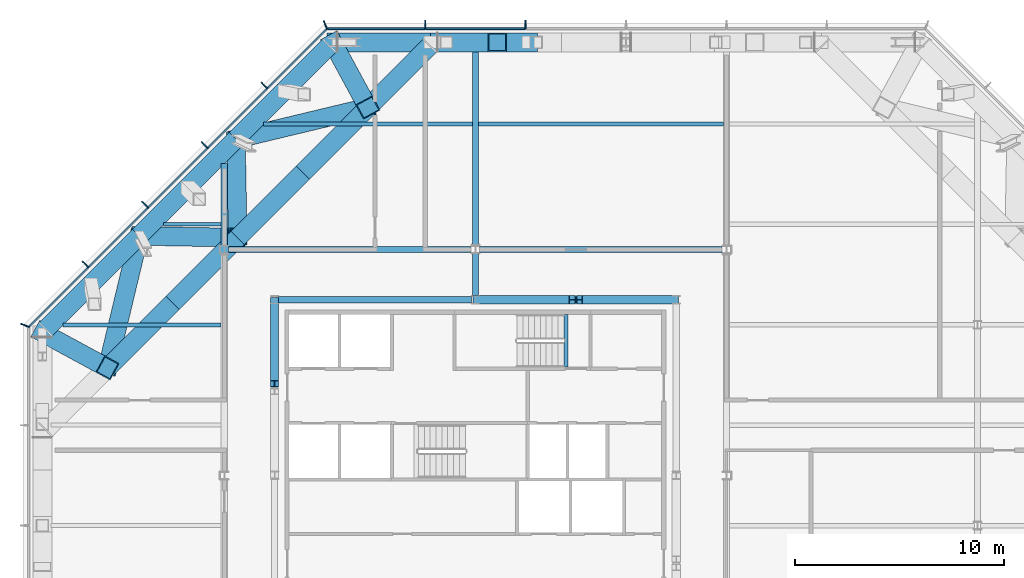
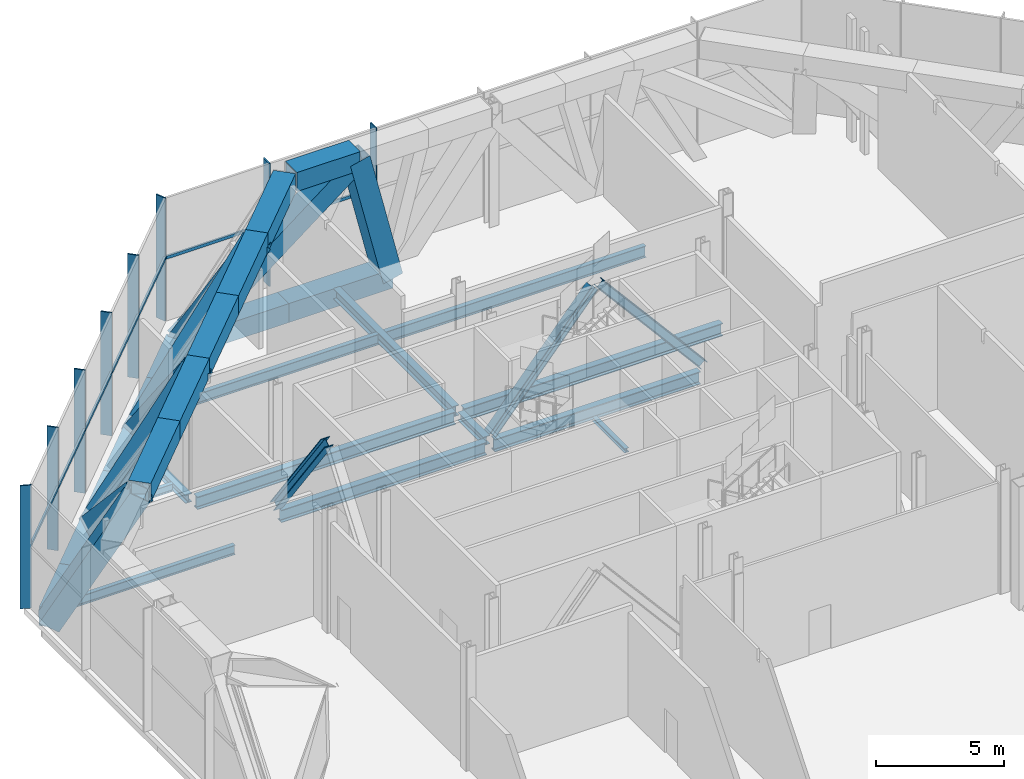
# One storey, part 7 of 18: 34 beams, 18 members, 3 elements without a shape of their own.
"""IFC4 building model written with IfcOpenShell, lengths in metres."""

from ifc_helpers import new_model, si_unit, direction, frame, origin, origin_2d, place, context, subcontext, project, spatial, rectangle, hollow_rectangle, i_section, extrude, material, material_profile, profile_set, type_object, element, aggregate, save


model = new_model("IFC4")

# Units and contexts
model_context = context("Model", 3, precision=1e-05, world=origin(), true_north=direction((0.0, 1.0)))
body_context = subcontext(model_context, "Body", "Model", "MODEL_VIEW")
ifc_project = project(units=[si_unit("LENGTHUNIT", "METRE"), si_unit("AREAUNIT", "SQUARE_METRE"), si_unit("VOLUMEUNIT", "CUBIC_METRE"), si_unit("PLANEANGLEUNIT", "RADIAN"), si_unit("MASSUNIT", "GRAM", prefix="KILO")], contexts=[model_context])

# Site, building, storey
site_placement = place(None, origin())
site = spatial("IfcSite", under=ifc_project, at=site_placement, CompositionType="ELEMENT")
building_placement = place(site_placement, origin())
building = spatial("IfcBuilding", under=site, at=building_placement, Name="Cairn Pilgrim Tower", CompositionType="ELEMENT")
storey_placement = place(building_placement, frame((0.0, 0.0, 204.60009765625)))
storey = spatial("IfcBuildingStorey", under=building, at=storey_placement, Name="L52", CompositionType="ELEMENT", Elevation=204.60009765625)

# Beams
ifc_material_1 = material(Name="Structural steel S460M", Category="steel")
ifc_material_profile_1 = material_profile(ifc_material_1, hollow_rectangle(XDim=0.89990234375, YDim=0.89990234375, WallThickness=0.050048828125, at=origin_2d()), Name="BOX 900x900x50")
ifc_profile_set_1 = profile_set([ifc_material_profile_1], Name="Structural steel S460M")
beam_type_1 = type_object("IfcBeamType", Name="BOX 900x900x50 CHORD", PredefinedType="USERDEFINED", material=ifc_profile_set_1)
beam_1_placement = place(storey_placement, frame((9.724365234375, 23.10009765625, -0.7001953125), z_axis=(-1.0, 0.0, 0.0), x_axis=(0.0, -1.0, 0.0)))
element("IfcBeam", 1, at=beam_1_placement, inside=storey, type_object=beam_type_1, Name="BT52-N-BC5", ObjectType="CHORD", PredefinedType="USERDEFINED", context=body_context, shape_type="SweptSolid", body=[
    extrude(hollow_rectangle(XDim=0.89990234375, YDim=0.89990234375, WallThickness=0.050048828125, at=origin_2d()), origin(), (0.0, 0.0, 1.0), 4.67578125),
])
beam_2_placement = place(storey_placement, frame((5.048583984375, 23.10009765625, -0.7001953125), z_axis=(-1.0, 0.0, 0.0), x_axis=(0.0, -1.0, 0.0)))
element("IfcBeam", 2, at=beam_2_placement, inside=storey, type_object=beam_type_1, Name="BT52-N-BC6", ObjectType="CHORD", PredefinedType="USERDEFINED", context=body_context, shape_type="SweptSolid", body=[
    extrude(hollow_rectangle(XDim=0.89990234375, YDim=0.89990234375, WallThickness=0.050048828125, at=origin_2d()), origin(), (0.0, 0.0, 1.0), 4.439453125),
])
beam_3_placement = place(storey_placement, frame((8.24853515625, 23.10009765625, 5.39990234375), z_axis=(-1.0, 0.0, 0.0), x_axis=(0.0, -1.0, 0.0)))
element("IfcBeam", 3, at=beam_3_placement, inside=storey, type_object=beam_type_1, Name="BT52-N-TC6", ObjectType="CHORD", PredefinedType="USERDEFINED", context=body_context, shape_type="SweptSolid", body=[
    extrude(hollow_rectangle(XDim=0.89990234375, YDim=0.89990234375, WallThickness=0.050048828125, at=origin_2d()), origin(), (0.0, 0.0, 1.0), 2.83935546875),
])
beam_4_placement = place(storey_placement, frame((0.20556640625, 22.932861328125, -0.7001953125), z_axis=(-0.707066537211, -0.707147022872, 0.0), x_axis=(0.707147022872, -0.707066537211, 0.0)))
element("IfcBeam", 4, at=beam_4_placement, inside=storey, type_object=beam_type_1, Name="BT52-NW-BC1", ObjectType="CHORD", PredefinedType="USERDEFINED", context=body_context, shape_type="SweptSolid", body=[
    extrude(hollow_rectangle(XDim=0.89990234375, YDim=0.89990234375, WallThickness=0.050048828125, at=origin_2d()), origin(), (0.0, 0.0, 1.0), 3.033447265625),
])
beam_5_placement = place(storey_placement, frame((5.005615234375, 22.932861328125, 5.39990234375), z_axis=(-0.707077470453, -0.707136090705, 0.0), x_axis=(0.707136090705, -0.707077470453, 0.0)))
element("IfcBeam", 5, at=beam_5_placement, inside=storey, type_object=beam_type_1, Name="BT52-NW-TC1", ObjectType="CHORD", PredefinedType="USERDEFINED", context=body_context, shape_type="SweptSolid", body=[
    extrude(hollow_rectangle(XDim=0.89990234375, YDim=0.89990234375, WallThickness=0.050048828125, at=origin_2d()), origin(), (0.0, 0.0, 1.0), 4.164794921875),
])
beam_6_placement = place(storey_placement, frame((-1.939208984375, 20.787841796875, -0.7001953125), z_axis=(-0.707106781187, -0.707106781187, 0.0), x_axis=(0.707106781187, -0.707106781187, 0.0)))
element("IfcBeam", 6, at=beam_6_placement, inside=storey, type_object=beam_type_1, Name="BT52-NW-BC2", ObjectType="CHORD", PredefinedType="USERDEFINED", context=body_context, shape_type="SweptSolid", body=[
    extrude(hollow_rectangle(XDim=0.89990234375, YDim=0.89990234375, WallThickness=0.050048828125, at=origin_2d()), origin(), (0.0, 0.0, 1.0), 3.27001953125),
])
beam_7_placement = place(storey_placement, frame((2.060791015625, 19.98779296875, 5.39990234375), z_axis=(-0.707134515759, -0.707079045527, 0.0), x_axis=(0.707079045527, -0.707134515759, 0.0)))
element("IfcBeam", 7, at=beam_7_placement, inside=storey, type_object=beam_type_1, Name="BT52-NW-TC2", ObjectType="CHORD", PredefinedType="USERDEFINED", context=body_context, shape_type="SweptSolid", body=[
    extrude(hollow_rectangle(XDim=0.89990234375, YDim=0.89990234375, WallThickness=0.050048828125, at=origin_2d()), origin(), (0.0, 0.0, 1.0), 4.4013671875),
])
beam_8_placement = place(storey_placement, frame((-4.25146484375, 18.4755859375, -0.7001953125), z_axis=(-0.707144112273, -0.707069448129, 0.0), x_axis=(0.707069448129, -0.707144112273, 0.0)))
element("IfcBeam", 8, at=beam_8_placement, inside=storey, type_object=beam_type_1, Name="BT52-NW-BC3", ObjectType="CHORD", PredefinedType="USERDEFINED", context=body_context, shape_type="SweptSolid", body=[
    extrude(hollow_rectangle(XDim=0.89990234375, YDim=0.89990234375, WallThickness=0.050048828125, at=origin_2d()), origin(), (0.0, 0.0, 1.0), 3.269775390625),
])
beam_9_placement = place(storey_placement, frame((-1.051513671875, 16.875732421875, 5.39990234375), z_axis=(-0.707106781187, -0.707106781187, 0.0), x_axis=(0.707106781187, -0.707106781187, 0.0)))
element("IfcBeam", 9, at=beam_9_placement, inside=storey, type_object=beam_type_1, Name="BT52-NW-TC3", ObjectType="CHORD", PredefinedType="USERDEFINED", context=body_context, shape_type="SweptSolid", body=[
    extrude(hollow_rectangle(XDim=0.89990234375, YDim=0.89990234375, WallThickness=0.050048828125, at=origin_2d()), origin(), (0.0, 0.0, 1.0), 4.401123046875),
])
beam_10_placement = place(storey_placement, frame((-6.563720703125, 16.16357421875, -0.7001953125), z_axis=(-0.707106781187, -0.707106781187, 0.0), x_axis=(0.707106781187, -0.707106781187, 0.0)))
element("IfcBeam", 10, at=beam_10_placement, inside=storey, type_object=beam_type_1, Name="BT52-NW-BC4", ObjectType="CHORD", PredefinedType="USERDEFINED", context=body_context, shape_type="SweptSolid", body=[
    extrude(hollow_rectangle(XDim=0.89990234375, YDim=0.89990234375, WallThickness=0.050048828125, at=origin_2d()), origin(), (0.0, 0.0, 1.0), 3.269775390625),
])
beam_11_placement = place(storey_placement, frame((-4.16357421875, 13.763671875, 5.39990234375), z_axis=(-0.707106781187, -0.707106781187, 0.0), x_axis=(0.707106781187, -0.707106781187, 0.0)))
element("IfcBeam", 11, at=beam_11_placement, inside=storey, type_object=beam_type_1, Name="BT52-NW-TC4", ObjectType="CHORD", PredefinedType="USERDEFINED", context=body_context, shape_type="SweptSolid", body=[
    extrude(hollow_rectangle(XDim=0.89990234375, YDim=0.89990234375, WallThickness=0.050048828125, at=origin_2d()), origin(), (0.0, 0.0, 1.0), 4.401123046875),
])
beam_12_placement = place(storey_placement, frame((-8.875732421875, 13.8515625, -0.7001953125), z_axis=(-0.707106781187, -0.707106781187, 0.0), x_axis=(0.707106781187, -0.707106781187, 0.0)))
element("IfcBeam", 12, at=beam_12_placement, inside=storey, type_object=beam_type_1, Name="BT52-NW-BC5", ObjectType="CHORD", PredefinedType="USERDEFINED", context=body_context, shape_type="SweptSolid", body=[
    extrude(hollow_rectangle(XDim=0.89990234375, YDim=0.89990234375, WallThickness=0.050048828125, at=origin_2d()), origin(), (0.0, 0.0, 1.0), 3.27001953125),
])
beam_13_placement = place(storey_placement, frame((-7.275634765625, 10.651611328125, 5.39990234375), z_axis=(-0.707106781187, -0.707106781187, 0.0), x_axis=(0.707106781187, -0.707106781187, 0.0)))
element("IfcBeam", 13, at=beam_13_placement, inside=storey, type_object=beam_type_1, Name="BT52-NW-TC5", ObjectType="CHORD", PredefinedType="USERDEFINED", context=body_context, shape_type="SweptSolid", body=[
    extrude(hollow_rectangle(XDim=0.89990234375, YDim=0.89990234375, WallThickness=0.050048828125, at=origin_2d()), origin(), (0.0, 0.0, 1.0), 4.4013671875),
])
beam_14_placement = place(storey_placement, frame((-11.18798828125, 11.539306640625, -0.7001953125), z_axis=(-0.707066537211, -0.707147022872, 0.0), x_axis=(0.707147022872, -0.707066537211, 0.0)))
element("IfcBeam", 14, at=beam_14_placement, inside=storey, type_object=beam_type_1, Name="BT52-NW-BC6", ObjectType="CHORD", PredefinedType="USERDEFINED", context=body_context, shape_type="SweptSolid", body=[
    extrude(hollow_rectangle(XDim=0.89990234375, YDim=0.89990234375, WallThickness=0.050048828125, at=origin_2d()), origin(), (0.0, 0.0, 1.0), 3.033447265625),
])
ifc_material_profile_2 = material_profile(ifc_material_1, hollow_rectangle(XDim=0.89990234375, YDim=0.89990234375, WallThickness=0.050048828125, at=origin_2d()), Name="BOX 900x900x50")
ifc_profile_set_2 = profile_set([ifc_material_profile_2], Name="Structural steel S460M")
beam_type_2 = type_object("IfcBeamType", Name="BOX 900x900x50 DIAGONAL", PredefinedType="USERDEFINED", material=ifc_profile_set_2)
beam_15_placement = place(storey_placement, frame((9.724365234375, 23.10009765625, -0.7001953125), z_axis=(-0.235151316301, 0.0, 0.971958774044), x_axis=(0.0, -1.0, 0.0)))
element("IfcBeam", 15, at=beam_15_placement, inside=storey, type_object=beam_type_2, Name="BT52-N-D5", ObjectType="DIAGONAL", PredefinedType="USERDEFINED", context=body_context, shape_type="SweptSolid", body=[
    extrude(hollow_rectangle(XDim=0.89990234375, YDim=0.89990234375, WallThickness=0.050048828125, at=origin_2d()), origin(), (0.0, 0.0, 1.0), 6.276123046875),
])
beam_16_placement = place(storey_placement, frame((8.24853515625, 23.10009765625, 5.39990234375), z_axis=(-0.790589750106, 0.0, -0.612346182341), x_axis=(0.0, -1.0, 0.0)))
element("IfcBeam", 16, at=beam_16_placement, inside=storey, type_object=beam_type_2, Name="BT52-N-D6", ObjectType="DIAGONAL", PredefinedType="USERDEFINED", context=body_context, shape_type="SweptSolid", body=[
    extrude(hollow_rectangle(XDim=0.89990234375, YDim=0.89990234375, WallThickness=0.050048828125, at=origin_2d()), origin(), (0.0, 0.0, 1.0), 9.9619140625),
])
beam_17_placement = place(storey_placement, frame((0.372802734375, 23.10009765625, -0.7001953125), z_axis=(0.239324002447, -0.441264446514, 0.864875546015), x_axis=(0.879036753666, 0.476754009637, 0.0)))
element("IfcBeam", 17, at=beam_17_placement, inside=storey, type_object=beam_type_2, Name="BT52-NW-D1", ObjectType="DIAGONAL", PredefinedType="USERDEFINED", context=body_context, shape_type="SweptSolid", body=[
    extrude(hollow_rectangle(XDim=0.89990234375, YDim=0.89990234375, WallThickness=0.050048828125, at=origin_2d()), origin(), (0.0, 0.0, 1.0), 7.05322265625),
])
beam_18_placement = place(storey_placement, frame((2.060791015625, 19.98779296875, 5.39990234375), z_axis=(-0.708649616723, -0.169768931579, -0.684831534459), x_axis=(0.232974611188, -0.972482817608, 0.0)))
element("IfcBeam", 18, at=beam_18_placement, inside=storey, type_object=beam_type_2, Name="BT52-NW-D2", ObjectType="DIAGONAL", PredefinedType="USERDEFINED", context=body_context, shape_type="SweptSolid", body=[
    extrude(hollow_rectangle(XDim=0.89990234375, YDim=0.89990234375, WallThickness=0.050048828125, at=origin_2d()), origin(), (0.0, 0.0, 1.0), 8.907470703125),
])
beam_19_placement = place(storey_placement, frame((-4.25146484375, 18.4755859375, -0.7001953125), z_axis=(0.011401773013, -0.611261719859, 0.791346390279), x_axis=(0.999826080981, 0.018649605656, 0.0)))
element("IfcBeam", 19, at=beam_19_placement, inside=storey, type_object=beam_type_2, Name="BT52-NW-D3", ObjectType="DIAGONAL", PredefinedType="USERDEFINED", context=body_context, shape_type="SweptSolid", body=[
    extrude(hollow_rectangle(XDim=0.89990234375, YDim=0.89990234375, WallThickness=0.050048828125, at=origin_2d()), origin(), (0.0, 0.0, 1.0), 7.70849609375),
])
beam_20_placement = place(storey_placement, frame((-4.16357421875, 13.763671875, 5.39990234375), z_axis=(-0.611281557072, 0.011401552279, -0.791331070152), x_axis=(-0.018648639741, -0.999826098997, 0.0)))
element("IfcBeam", 20, at=beam_20_placement, inside=storey, type_object=beam_type_2, Name="BT52-NW-D4", ObjectType="DIAGONAL", PredefinedType="USERDEFINED", context=body_context, shape_type="SweptSolid", body=[
    extrude(hollow_rectangle(XDim=0.89990234375, YDim=0.89990234375, WallThickness=0.050048828125, at=origin_2d()), origin(), (0.0, 0.0, 1.0), 7.708740234375),
])
beam_21_placement = place(storey_placement, frame((-8.875732421875, 13.8515625, -0.7001953125), z_axis=(-0.169768931579, -0.708649616723, 0.684831534459), x_axis=(0.972482817608, -0.232974611188, 0.0)))
element("IfcBeam", 21, at=beam_21_placement, inside=storey, type_object=beam_type_2, Name="BT52-NW-D5", ObjectType="DIAGONAL", PredefinedType="USERDEFINED", context=body_context, shape_type="SweptSolid", body=[
    extrude(hollow_rectangle(XDim=0.89990234375, YDim=0.89990234375, WallThickness=0.050048828125, at=origin_2d()), origin(), (0.0, 0.0, 1.0), 8.907470703125),
])
beam_22_placement = place(storey_placement, frame((-10.387939453125, 7.539306640625, 5.39990234375), z_axis=(-0.44123657139, 0.239327657848, -0.864888756001), x_axis=(-0.476782909036, -0.879021079185, 0.0)))
element("IfcBeam", 22, at=beam_22_placement, inside=storey, type_object=beam_type_2, Name="BT52-NW-D6", ObjectType="DIAGONAL", PredefinedType="USERDEFINED", context=body_context, shape_type="SweptSolid", body=[
    extrude(hollow_rectangle(XDim=0.89990234375, YDim=0.89990234375, WallThickness=0.050048828125, at=origin_2d()), origin(), (0.0, 0.0, 1.0), 7.052978515625),
])

# Curtain wall, members
ifc_material_2 = material(Name="Aluminium alloy 6063-T6 bronze anodised with Bronze tinted laminated low-E glass 8+16+8.8", Category="aluminium")
curtain_wall_type = type_object("IfcCurtainWallType", Name="PLANT LOUVRE CURTAIN WALL", PredefinedType="NOTDEFINED", material=ifc_material_2)
curtain_wall_1_placement = place(storey_placement, origin())
curtain_wall_1 = element("IfcCurtainWall", 23, at=curtain_wall_1_placement, inside=storey, type_object=curtain_wall_type, Name="Plant Louvre Curtain Wall N", PredefinedType="NOTDEFINED")
ifc_material_3 = material(Name="Aluminium alloy 6063-T6 bronze anodised", Category="aluminium")
ifc_material_profile_3 = material_profile(ifc_material_3, rectangle(XDim=0.449951171875, YDim=0.06005859375, at=origin_2d()), Name="FIN MULLION 60x450 BRONZE")
ifc_profile_set_3 = profile_set([ifc_material_profile_3], Name="Aluminium alloy 6063-T6 bronze anodised")
member_type_1 = type_object("IfcMemberType", Name="FIN MULLION 60x450 BRONZE", PredefinedType="MULLION", material=ifc_profile_set_3)
member_1_placement = place(storey_placement, frame((9.60009765625, 23.945068359375, 0.0), z_axis=(0.0, 0.0, 1.0), x_axis=(0.0, 1.0, 0.0)))
member_1 = element("IfcMember", 24, at=member_1_placement, type_object=member_type_1, Name="Fin mullion N5", PredefinedType="MULLION", context=body_context, shape_type="SweptSolid", body=[
    extrude(rectangle(XDim=0.449951171875, YDim=0.06005859375, at=origin_2d()), origin(), (0.0, 0.0, 1.0), 5.849853515625),
])
member_2_placement = place(storey_placement, frame((4.800048828125, 23.945068359375, 0.0), z_axis=(0.0, 0.0, 1.0), x_axis=(0.0, 1.0, 0.0)))
member_2 = element("IfcMember", 25, at=member_2_placement, type_object=member_type_1, Name="Fin mullion N6", PredefinedType="MULLION", context=body_context, shape_type="SweptSolid", body=[
    extrude(rectangle(XDim=0.449951171875, YDim=0.06005859375, at=origin_2d()), origin(), (0.0, 0.0, 1.0), 5.849853515625),
])

curtain_wall_2_placement = place(storey_placement, origin())
curtain_wall_2 = element("IfcCurtainWall", 26, at=curtain_wall_2_placement, inside=storey, type_object=curtain_wall_type, Name="Plant Louvre Curtain Wall NW", PredefinedType="NOTDEFINED")
member_3_placement = place(storey_placement, frame((0.02880859375, 23.93017578125, 0.0), z_axis=(0.0, 0.0, 1.0), x_axis=(-0.382683432365, 0.923879532511, 0.0)))
member_3 = element("IfcMember", 27, at=member_3_placement, type_object=member_type_1, Name="Fin mullion NW1", PredefinedType="MULLION", context=body_context, shape_type="SweptSolid", body=[
    extrude(rectangle(XDim=0.449951171875, YDim=0.06005859375, at=origin_2d()), origin(), (0.0, 0.0, 1.0), 5.849853515625),
])
member_4_placement = place(storey_placement, frame((-2.885009765625, 21.037109375, 0.0), z_axis=(0.0, 0.0, 1.0), x_axis=(-0.707106781187, 0.707106781187, 0.0)))
member_4 = element("IfcMember", 28, at=member_4_placement, type_object=member_type_1, Name="Fin mullion NW2", PredefinedType="MULLION", context=body_context, shape_type="SweptSolid", body=[
    extrude(rectangle(XDim=0.449951171875, YDim=0.06005859375, at=origin_2d()), origin(), (0.0, 0.0, 1.0), 5.849853515625),
])
member_5_placement = place(storey_placement, frame((-5.73583984375, 18.1865234375, 0.0), z_axis=(0.0, 0.0, 1.0), x_axis=(-0.707106781187, 0.707106781187, 0.0)))
member_5 = element("IfcMember", 29, at=member_5_placement, type_object=member_type_1, Name="Fin mullion NW3", PredefinedType="MULLION", context=body_context, shape_type="SweptSolid", body=[
    extrude(rectangle(XDim=0.449951171875, YDim=0.06005859375, at=origin_2d()), origin(), (0.0, 0.0, 1.0), 5.849853515625),
])
member_6_placement = place(storey_placement, frame((-8.58642578125, 15.335693359375, 0.0), z_axis=(0.0, 0.0, 1.0), x_axis=(-0.707106781187, 0.707106781187, 0.0)))
member_6 = element("IfcMember", 30, at=member_6_placement, type_object=member_type_1, Name="Fin mullion NW4", PredefinedType="MULLION", context=body_context, shape_type="SweptSolid", body=[
    extrude(rectangle(XDim=0.449951171875, YDim=0.06005859375, at=origin_2d()), origin(), (0.0, 0.0, 1.0), 5.849853515625),
])
member_7_placement = place(storey_placement, frame((-11.437255859375, 12.485107421875, 0.0), z_axis=(0.0, 0.0, 1.0), x_axis=(-0.707106781187, 0.707106781187, 0.0)))
member_7 = element("IfcMember", 31, at=member_7_placement, type_object=member_type_1, Name="Fin mullion NW5", PredefinedType="MULLION", context=body_context, shape_type="SweptSolid", body=[
    extrude(rectangle(XDim=0.449951171875, YDim=0.06005859375, at=origin_2d()), origin(), (0.0, 0.0, 1.0), 5.849853515625),
])

# Curtain wall, member
curtain_wall_3_placement = place(storey_placement, origin())
curtain_wall_3 = element("IfcCurtainWall", 32, at=curtain_wall_3_placement, inside=storey, type_object=curtain_wall_type, Name="Plant Louvre Curtain Wall W", PredefinedType="NOTDEFINED")
member_8_placement = place(storey_placement, frame((-14.330078125, 9.571044921875, 0.0), z_axis=(0.0, 0.0, 1.0), x_axis=(-0.923879532511, 0.382683432365, 0.0)))
member_8 = element("IfcMember", 33, at=member_8_placement, type_object=member_type_1, Name="Fin mullion W1", PredefinedType="MULLION", context=body_context, shape_type="SweptSolid", body=[
    extrude(rectangle(XDim=0.449951171875, YDim=0.06005859375, at=origin_2d()), origin(), (0.0, 0.0, 1.0), 5.849853515625),
])
aggregate(curtain_wall_3, [member_8])

# Members
ifc_material_4 = material(Name="Structural steel S355J2", Category="steel")
ifc_material_profile_4 = material_profile(ifc_material_4, i_section(OverallWidth=0.39794921875, OverallDepth=0.386962890625, WebThickness=0.02099609375, FlangeThickness=0.033203125, FilletRadius=0.014892578125, at=origin_2d()), Name="HD 400x262")
ifc_profile_set_4 = profile_set([ifc_material_profile_4], Name="Structural steel S355J2")
member_type_2 = type_object("IfcMemberType", Name="HD 400x262 BRACE", PredefinedType="BRACE", material=ifc_profile_set_4)
for number, where, z_axis, x_axis, name in (
    (34, (16.759521484375, 10.800048828125, 0.0), (-0.647412441599, 0.0, 0.762139836554), (0.0, -1.0, 0.0), "KB-3A"),
    (35, (7.240478515625, 10.800048828125, 0.0), (0.647412441599, 0.0, 0.762139836554), (0.0, 1.0, 0.0), "KB-3B"),
):
    element("IfcMember", number, at=place(storey_placement, frame(where, z_axis=z_axis, x_axis=x_axis)), inside=storey, type_object=member_type_2, Name=name, PredefinedType="BRACE", context=body_context, shape_type="SweptSolid", body=[
        extrude(i_section(OverallWidth=0.39794921875, OverallDepth=0.386962890625, WebThickness=0.02099609375, FlangeThickness=0.033203125, FilletRadius=0.014892578125, at=origin_2d()), origin(), (0.0, 0.0, 1.0), 7.08837890625),
    ])
member_9_placement = place(storey_placement, frame((-2.39990234375, 10.759521484375, 0.0), z_axis=(0.0, -0.592300789405, 0.805716932222), x_axis=(1.0, 0.0, 0.0)))
element("IfcMember", 36, at=member_9_placement, inside=storey, type_object=member_type_2, Name="KB-4A", PredefinedType="BRACE", context=body_context, shape_type="SweptSolid", body=[
    extrude(i_section(OverallWidth=0.39794921875, OverallDepth=0.386962890625, WebThickness=0.02099609375, FlangeThickness=0.033203125, FilletRadius=0.014892578125, at=origin_2d()), origin(), (0.0, 0.0, 1.0), 6.705810546875),
])

# Beams
ifc_material_profile_5 = material_profile(ifc_material_4, i_section(OverallWidth=0.300048828125, OverallDepth=0.39990234375, WebThickness=0.013427734375, FlangeThickness=0.02392578125, FilletRadius=0.027099609375, at=origin_2d()), Name="HEB 400")
ifc_profile_set_5 = profile_set([ifc_material_profile_5], Name="Structural steel S355J2")
beam_type_3 = type_object("IfcBeamType", Name="HEB 400 GIRDER", PredefinedType="BEAM", material=ifc_profile_set_5)
beam_23_placement = place(storey_placement, frame((-4.800048828125, 13.3994140625, -0.4501953125), z_axis=(0.0, 1.0, 0.0), x_axis=(-1.0, 0.0, 0.0)))
element("IfcBeam", 37, at=beam_23_placement, inside=storey, type_object=beam_type_3, Name="PG2-4", PredefinedType="BEAM", context=body_context, shape_type="SweptSolid", body=[
    extrude(i_section(OverallWidth=0.300048828125, OverallDepth=0.39990234375, WebThickness=0.013427734375, FlangeThickness=0.02392578125, FilletRadius=0.027099609375, at=origin_2d()), origin(), (0.0, 0.0, 1.0), 3.92138671875),
])
beam_24_placement = place(storey_placement, frame((7.199951171875, 11.001953125, -0.4501953125), z_axis=(0.0, 1.0, 0.0), x_axis=(-1.0, 0.0, 0.0)))
element("IfcBeam", 38, at=beam_24_placement, inside=storey, type_object=beam_type_3, Name="PG3-E2", PredefinedType="BEAM", context=body_context, shape_type="SweptSolid", body=[
    extrude(i_section(OverallWidth=0.300048828125, OverallDepth=0.39990234375, WebThickness=0.013427734375, FlangeThickness=0.02392578125, FilletRadius=0.027099609375, at=origin_2d()), origin(), (0.0, 0.0, 1.0), 1.99853515625),
])
ifc_material_profile_6 = material_profile(ifc_material_4, i_section(OverallWidth=0.300048828125, OverallDepth=0.5, WebThickness=0.014404296875, FlangeThickness=0.028076171875, FilletRadius=0.027099609375, at=origin_2d()), Name="HEB 500")
ifc_profile_set_6 = profile_set([ifc_material_profile_6], Name="Structural steel S355J2")
beam_type_4 = type_object("IfcBeamType", Name="HEB 500 GIRDER", PredefinedType="BEAM", material=ifc_profile_set_6)
beam_25_placement = place(storey_placement, frame((7.199951171875, 13.3994140625, -0.5), z_axis=(0.0, 1.0, 0.0), x_axis=(-1.0, 0.0, 0.0)))
element("IfcBeam", 39, at=beam_25_placement, inside=storey, type_object=beam_type_4, Name="PG3-2", PredefinedType="BEAM", context=body_context, shape_type="SweptSolid", body=[
    extrude(i_section(OverallWidth=0.300048828125, OverallDepth=0.5, WebThickness=0.014404296875, FlangeThickness=0.028076171875, FilletRadius=0.027099609375, at=origin_2d()), origin(), (0.0, 0.0, 1.0), 9.280517578125),
])
ifc_material_profile_7 = material_profile(ifc_material_4, i_section(OverallWidth=0.300048828125, OverallDepth=0.60009765625, WebThickness=0.015380859375, FlangeThickness=0.030029296875, FilletRadius=0.027099609375, at=origin_2d()), Name="HEB 600")
ifc_profile_set_7 = profile_set([ifc_material_profile_7], Name="Structural steel S355J2")
beam_type_5 = type_object("IfcBeamType", Name="HEB 600 CORE BEAM", PredefinedType="BEAM", material=ifc_profile_set_7)
beam_26_placement = place(storey_placement, frame((16.6181640625, 10.800048828125, -0.550048828125), z_axis=(-1.0, 0.0, 0.0), x_axis=(0.0, -1.0, 0.0)))
element("IfcBeam", 40, at=beam_26_placement, inside=storey, type_object=beam_type_5, Name="CB-5", PredefinedType="BEAM", context=body_context, shape_type="SweptSolid", body=[
    extrude(i_section(OverallWidth=0.300048828125, OverallDepth=0.60009765625, WebThickness=0.015380859375, FlangeThickness=0.030029296875, FilletRadius=0.027099609375, at=origin_2d()), origin(), (0.0, 0.0, 1.0), 9.236328125),
])
beam_27_placement = place(storey_placement, frame((7.018310546875, 10.800048828125, -0.550048828125), z_axis=(-1.0, 0.0, 0.0), x_axis=(0.0, -1.0, 0.0)))
element("IfcBeam", 41, at=beam_27_placement, inside=storey, type_object=beam_type_5, Name="CB-6", PredefinedType="BEAM", context=body_context, shape_type="SweptSolid", body=[
    extrude(i_section(OverallWidth=0.300048828125, OverallDepth=0.60009765625, WebThickness=0.015380859375, FlangeThickness=0.030029296875, FilletRadius=0.027099609375, at=origin_2d()), origin(), (0.0, 0.0, 1.0), 9.236572265625),
])
ifc_material_profile_8 = material_profile(ifc_material_4, i_section(OverallWidth=0.300048828125, OverallDepth=0.60009765625, WebThickness=0.015380859375, FlangeThickness=0.030029296875, FilletRadius=0.027099609375, at=origin_2d()), Name="HEB 600")
ifc_profile_set_8 = profile_set([ifc_material_profile_8], Name="Structural steel S355J2")
beam_type_6 = type_object("IfcBeamType", Name="HEB 600 INNER GIRDER", PredefinedType="BEAM", material=ifc_profile_set_8)
for number, where, z_axis, x_axis, name in (
    (42, (-4.6005859375, 13.199951171875, -0.550048828125), (1.0, 0.0, 0.0), (0.0, 1.0, 0.0), "IG2-1"),
    (43, (7.3994140625, 13.199951171875, -0.550048828125), (1.0, 0.0, 0.0), (0.0, 1.0, 0.0), "IG2-2"),
):
    element("IfcBeam", number, at=place(storey_placement, frame(where, z_axis=z_axis, x_axis=x_axis)), inside=storey, type_object=beam_type_6, Name=name, PredefinedType="BEAM", context=body_context, shape_type="SweptSolid", body=[
        extrude(i_section(OverallWidth=0.300048828125, OverallDepth=0.60009765625, WebThickness=0.015380859375, FlangeThickness=0.030029296875, FilletRadius=0.027099609375, at=origin_2d()), origin(), (0.0, 0.0, 1.0), 11.60107421875),
    ])
ifc_material_profile_9 = material_profile(ifc_material_4, i_section(OverallWidth=0.169921875, OverallDepth=0.360107421875, WebThickness=0.008056640625, FlangeThickness=0.0126953125, FilletRadius=0.01806640625, at=origin_2d()), Name="IPE 360")
ifc_profile_set_9 = profile_set([ifc_material_profile_9], Name="Structural steel S355J2")
beam_type_7 = type_object("IfcBeamType", Name="IPE 360 SECONDARY BEAM", PredefinedType="JOIST", material=ifc_profile_set_9)
beam_28_placement = place(storey_placement, frame((-7.720703125, 14.39990234375, -0.43017578125), z_axis=(1.0, 0.0, 0.0), x_axis=(0.0, 1.0, 0.0)))
element("IfcBeam", 44, at=beam_28_placement, inside=storey, type_object=beam_type_7, Name="SB8-1", PredefinedType="JOIST", context=body_context, shape_type="SweptSolid", body=[
    extrude(i_section(OverallWidth=0.169921875, OverallDepth=0.360107421875, WebThickness=0.008056640625, FlangeThickness=0.0126953125, FilletRadius=0.01806640625, at=origin_2d()), origin(), (0.0, 0.0, 1.0), 2.770751953125),
])
ifc_material_profile_10 = material_profile(ifc_material_4, i_section(OverallWidth=0.18994140625, OverallDepth=0.449951171875, WebThickness=0.009521484375, FlangeThickness=0.0146484375, FilletRadius=0.02099609375, at=origin_2d()), Name="IPE 450")
ifc_profile_set_10 = profile_set([ifc_material_profile_10], Name="Structural steel S355J2")
beam_type_8 = type_object("IfcBeamType", Name="IPE 450 SECONDARY BEAM", PredefinedType="JOIST", material=ifc_profile_set_10)
beam_29_placement = place(storey_placement, frame((-12.520751953125, 9.60009765625, -0.47509765625), z_axis=(1.0, 0.0, 0.0), x_axis=(0.0, 1.0, 0.0)))
element("IfcBeam", 45, at=beam_29_placement, inside=storey, type_object=beam_type_8, Name="SB7-1", PredefinedType="JOIST", context=body_context, shape_type="SweptSolid", body=[
    extrude(i_section(OverallWidth=0.18994140625, OverallDepth=0.449951171875, WebThickness=0.009521484375, FlangeThickness=0.0146484375, FilletRadius=0.02099609375, at=origin_2d()), origin(), (0.0, 0.0, 1.0), 7.57080078125),
])
ifc_material_profile_11 = material_profile(ifc_material_4, i_section(OverallWidth=0.199951171875, OverallDepth=0.5, WebThickness=0.01025390625, FlangeThickness=0.01611328125, FilletRadius=0.02099609375, at=origin_2d()), Name="IPE 500")
ifc_profile_set_11 = profile_set([ifc_material_profile_11], Name="Structural steel S355J2")
beam_type_9 = type_object("IfcBeamType", Name="IPE 500 SECONDARY BEAM", PredefinedType="JOIST", material=ifc_profile_set_11)
beam_30_placement = place(storey_placement, frame((-2.9208984375, 19.199951171875, -0.5), z_axis=(1.0, 0.0, 0.0), x_axis=(0.0, 1.0, 0.0)))
element("IfcBeam", 46, at=beam_30_placement, inside=storey, type_object=beam_type_9, Name="SB9-1", PredefinedType="JOIST", context=body_context, shape_type="SweptSolid", body=[
    extrude(i_section(OverallWidth=0.199951171875, OverallDepth=0.5, WebThickness=0.01025390625, FlangeThickness=0.01611328125, FilletRadius=0.02099609375, at=origin_2d()), origin(), (0.0, 0.0, 1.0), 9.970947265625),
])
ifc_material_profile_12 = material_profile(ifc_material_4, i_section(OverallWidth=0.2099609375, OverallDepth=0.550048828125, WebThickness=0.010986328125, FlangeThickness=0.01708984375, FilletRadius=0.02392578125, at=origin_2d()), Name="IPE 550")
ifc_profile_set_12 = profile_set([ifc_material_profile_12], Name="Structural steel S355J2")
beam_type_10 = type_object("IfcBeamType", Name="IPE 550 SECONDARY BEAM", PredefinedType="JOIST", material=ifc_profile_set_12)
beam_31_placement = place(storey_placement, frame((7.35009765625, 19.199951171875, -0.525146484375), z_axis=(1.0, 0.0, 0.0), x_axis=(0.0, 1.0, 0.0)))
element("IfcBeam", 47, at=beam_31_placement, inside=storey, type_object=beam_type_10, Name="SB9-2", PredefinedType="JOIST", context=body_context, shape_type="SweptSolid", body=[
    extrude(i_section(OverallWidth=0.2099609375, OverallDepth=0.550048828125, WebThickness=0.010986328125, FlangeThickness=0.01708984375, FilletRadius=0.02392578125, at=origin_2d()), origin(), (0.0, 0.0, 1.0), 11.699951171875),
])
ifc_material_profile_13 = material_profile(ifc_material_4, i_section(OverallWidth=0.199951171875, OverallDepth=0.199951171875, WebThickness=0.009033203125, FlangeThickness=0.014892578125, FilletRadius=0.01806640625, at=origin_2d()), Name="HE 200 B")
ifc_profile_set_13 = profile_set([ifc_material_profile_13], Name="Structural steel S355J2")
beam_type_11 = type_object("IfcBeamType", Name="STAIR LANDING BEAM HE 200 B", PredefinedType="BEAM", material=ifc_profile_set_13)
beam_32_placement = place(storey_placement, frame((11.5244140625, 10.10009765625, -0.35009765625), z_axis=(0.0, -1.0, 0.0), x_axis=(1.0, 0.0, 0.0)))
element("IfcBeam", 48, at=beam_32_placement, inside=storey, type_object=beam_type_11, Name="STAIR LANDING BEAM LD-HE200B", PredefinedType="BEAM", context=body_context, shape_type="SweptSolid", body=[
    extrude(i_section(OverallWidth=0.199951171875, OverallDepth=0.199951171875, WebThickness=0.009033203125, FlangeThickness=0.014892578125, FilletRadius=0.01806640625, at=origin_2d()), origin(), (0.0, 0.0, 1.0), 2.525146484375),
])

# Member
ifc_material_profile_14 = material_profile(ifc_material_3, rectangle(XDim=0.080078125, YDim=0.14990234375, at=origin_2d()), Name="TRANSOM 80x150 BRONZE")
ifc_profile_set_14 = profile_set([ifc_material_profile_14], Name="Aluminium alloy 6063-T6 bronze anodised")
member_type_3 = type_object("IfcMemberType", Name="TRANSOM 80x150 BRONZE", PredefinedType="USERDEFINED", material=ifc_profile_set_14)
member_10_placement = place(storey_placement, frame((9.570068359375, 23.75, 3.0), z_axis=(-1.0, 0.0, 0.0), x_axis=(0.0, -1.0, 0.0)))
member_10 = element("IfcMember", 49, at=member_10_placement, type_object=member_type_3, Name="Transom N5", ObjectType="TRANSOM", PredefinedType="USERDEFINED", context=body_context, shape_type="SweptSolid", body=[
    extrude(rectangle(XDim=0.080078125, YDim=0.14990234375, at=origin_2d()), origin(), (0.0, 0.0, 1.0), 4.739990234375),
])

member_11_placement = place(storey_placement, frame((4.77001953125, 23.75, 3.0), z_axis=(-1.0, 0.0, 0.0), x_axis=(0.0, -1.0, 0.0)))
member_11 = element("IfcMember", 50, at=member_11_placement, type_object=member_type_3, Name="Transom N6", ObjectType="TRANSOM", PredefinedType="USERDEFINED", context=body_context, shape_type="SweptSolid", body=[
    extrude(rectangle(XDim=0.080078125, YDim=0.14990234375, at=origin_2d()), origin(), (0.0, 0.0, 1.0), 4.62646484375),
])

aggregate(curtain_wall_1, [member_1, member_2, member_10, member_11])

member_12_placement = place(storey_placement, frame((0.0751953125, 23.7216796875, 3.0), z_axis=(-0.707075965734, -0.707137595296, 0.0), x_axis=(0.707137595296, -0.707075965734, 0.0)))
member_12 = element("IfcMember", 51, at=member_12_placement, type_object=member_type_3, Name="Transom NW1", ObjectType="TRANSOM", PredefinedType="USERDEFINED", context=body_context, shape_type="SweptSolid", body=[
    extrude(rectangle(XDim=0.080078125, YDim=0.14990234375, at=origin_2d()), origin(), (0.0, 0.0, 1.0), 3.96142578125),
])

member_13_placement = place(storey_placement, frame((-2.768310546875, 20.878173828125, 3.0), z_axis=(-0.707106781187, -0.707106781187, 0.0), x_axis=(0.707106781187, -0.707106781187, 0.0)))
member_13 = element("IfcMember", 52, at=member_13_placement, type_object=member_type_3, Name="Transom NW2", ObjectType="TRANSOM", PredefinedType="USERDEFINED", context=body_context, shape_type="SweptSolid", body=[
    extrude(rectangle(XDim=0.080078125, YDim=0.14990234375, at=origin_2d()), origin(), (0.0, 0.0, 1.0), 3.9716796875),
])

member_14_placement = place(storey_placement, frame((-5.619140625, 18.02734375, 3.0), z_axis=(-0.707076043427, -0.70713751761, 0.0), x_axis=(0.70713751761, -0.707076043427, 0.0)))
member_14 = element("IfcMember", 53, at=member_14_placement, type_object=member_type_3, Name="Transom NW3", ObjectType="TRANSOM", PredefinedType="USERDEFINED", context=body_context, shape_type="SweptSolid", body=[
    extrude(rectangle(XDim=0.080078125, YDim=0.14990234375, at=origin_2d()), origin(), (0.0, 0.0, 1.0), 3.971435546875),
])

member_15_placement = place(storey_placement, frame((-8.4697265625, 15.1767578125, 3.0), z_axis=(-0.707106781187, -0.707106781187, 0.0), x_axis=(0.707106781187, -0.707106781187, 0.0)))
member_15 = element("IfcMember", 54, at=member_15_placement, type_object=member_type_3, Name="Transom NW4", ObjectType="TRANSOM", PredefinedType="USERDEFINED", context=body_context, shape_type="SweptSolid", body=[
    extrude(rectangle(XDim=0.080078125, YDim=0.14990234375, at=origin_2d()), origin(), (0.0, 0.0, 1.0), 3.9716796875),
])

member_16_placement = place(storey_placement, frame((-11.320556640625, 12.325927734375, 3.0), z_axis=(-0.707106781187, -0.707106781187, 0.0), x_axis=(0.707106781187, -0.707106781187, 0.0)))
member_16 = element("IfcMember", 55, at=member_16_placement, type_object=member_type_3, Name="Transom NW5", ObjectType="TRANSOM", PredefinedType="USERDEFINED", context=body_context, shape_type="SweptSolid", body=[
    extrude(rectangle(XDim=0.080078125, YDim=0.14990234375, at=origin_2d()), origin(), (0.0, 0.0, 1.0), 3.961669921875),
])

aggregate(curtain_wall_2, [member_3, member_4, member_5, member_6, member_7, member_12, member_13, member_14, member_15, member_16])

save(model, "model.ifc")
